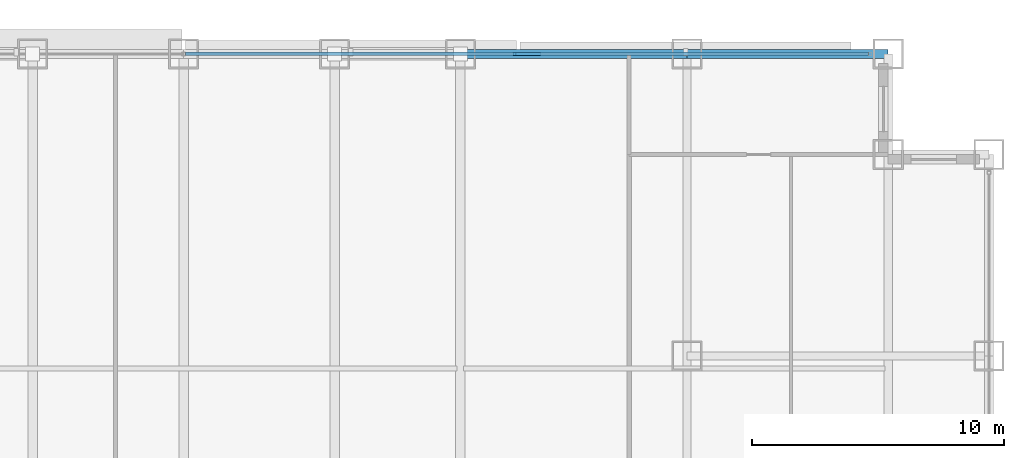
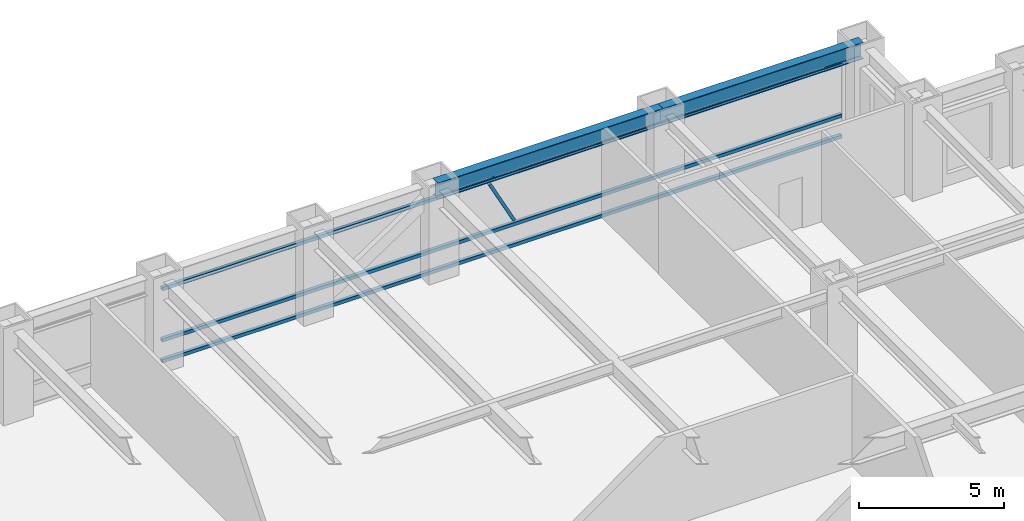
# One storey, part 20 of 32: 4 members, 2 beams, 1 element without a shape of its own.
"""IFC4 building model written with IfcOpenShell, lengths in metres."""

from ifc_helpers import new_model, si_unit, direction, frame, origin, origin_2d, place, context, subcontext, project, spatial, hollow_rectangle, i_section, extrude, source, transform, mapped, material, material_profile, profile_set, type_object, element, aggregate, save


model = new_model("IFC4")

# Units and contexts
model_context = context("Model", 3, precision=1e-05, world=origin(), true_north=direction((0.0, 1.0)))
body_context = subcontext(model_context, "Body", "Model", "MODEL_VIEW")
ifc_project = project(units=[si_unit("LENGTHUNIT", "METRE"), si_unit("AREAUNIT", "SQUARE_METRE"), si_unit("VOLUMEUNIT", "CUBIC_METRE"), si_unit("PLANEANGLEUNIT", "RADIAN"), si_unit("MASSUNIT", "GRAM", prefix="KILO")], contexts=[model_context])

# Site, building, storey
site_placement = place(None, origin())
site = spatial("IfcSite", under=ifc_project, at=site_placement, CompositionType="ELEMENT")
building_placement = place(site_placement, origin())
building = spatial("IfcBuilding", under=site, at=building_placement, Name="Khorayat Bourse Tower", CompositionType="ELEMENT")
storey_placement = place(building_placement, frame((0.0, 0.0, 132.39990234375)))
storey = spatial("IfcBuildingStorey", under=building, at=storey_placement, Name="L30", CompositionType="ELEMENT", Elevation=132.39990234375)

# Beams
ifc_material_1 = material(Name="Steel ASTM A992 Grade 50", Category="steel")
ifc_material_profile_1 = material_profile(ifc_material_1, i_section(OverallWidth=0.35498046875, OverallDepth=0.695068359375, WebThickness=0.015380859375, FlangeThickness=0.02490234375, FilletRadius=0.01806640625, at=origin_2d()), Name="W690X217")
ifc_profile_set_1 = profile_set([ifc_material_profile_1], Name="Steel ASTM A992 Grade 50")
beam_type = type_object("IfcBeamType", Name="BM-SPAN-690", PredefinedType="SPANDREL", material=ifc_profile_set_1)
shared_shape_1 = source(origin(), body_context, "Body", "SweptSolid", [
    extrude(i_section(OverallWidth=0.35498046875, OverallDepth=0.695068359375, WebThickness=0.015380859375, FlangeThickness=0.02490234375, FilletRadius=0.01806640625, at=origin_2d()), origin(), (0.0, 0.0, 1.0), 9.0),
])
beam_1_placement = place(storey_placement, frame((11.0, 32.0, 3.49267578125), z_axis=(1.0, 0.0, 0.0), x_axis=(0.0, 1.0, 0.0)))
element("IfcBeam", 1, at=beam_1_placement, inside=storey, type_object=beam_type, Name="L30 BM-SPAN-690 BM-L30-SPN-045", PredefinedType="SPANDREL", context=body_context, shape_type="MappedRepresentation", body=[
    mapped(shared_shape_1, transform((0.0, 0.0, 0.0), scale=1.0)),
])
shared_shape_2 = source(origin(), body_context, "Body", "SweptSolid", [
    extrude(i_section(OverallWidth=0.35498046875, OverallDepth=0.695068359375, WebThickness=0.015380859375, FlangeThickness=0.02490234375, FilletRadius=0.01806640625, at=origin_2d()), origin(), (0.0, 0.0, 1.0), 8.0),
])
beam_2_placement = place(storey_placement, frame((20.0, 32.0, 3.49267578125), z_axis=(1.0, 0.0, 0.0), x_axis=(0.0, 1.0, 0.0)))
element("IfcBeam", 2, at=beam_2_placement, inside=storey, type_object=beam_type, Name="L30 BM-SPAN-690 BM-L30-SPN-044", PredefinedType="SPANDREL", context=body_context, shape_type="MappedRepresentation", body=[
    mapped(shared_shape_2, transform((0.0, 0.0, 0.0), scale=1.0)),
])

# Curtain wall, members
ifc_material_2 = material(Name="Aluminium EN AW-6063 T6", Category="aluminium")
curtain_wall_type = type_object("IfcCurtainWallType", Name="CW-SYS-02", PredefinedType="NOTDEFINED", material=ifc_material_2)
curtain_wall_placement = place(storey_placement, origin())
curtain_wall = element("IfcCurtainWall", 3, at=curtain_wall_placement, inside=storey, type_object=curtain_wall_type, Name="L30 Curtain Wall CW-L30-N1", PredefinedType="NOTDEFINED")
ifc_material_profile_2 = material_profile(ifc_material_2, hollow_rectangle(XDim=0.139892578125, YDim=0.139892578125, WallThickness=0.006103515625, at=origin_2d()), Name="ALU 140x140x6")
ifc_profile_set_2 = profile_set([ifc_material_profile_2], Name="Aluminium EN AW-6063 T6")
member_type_1 = type_object("IfcMemberType", Name="CWT-HORZ-140", PredefinedType="USERDEFINED", material=ifc_profile_set_2)
shared_shape_3 = source(origin(), body_context, "Body", "SweptSolid", [
    extrude(hollow_rectangle(XDim=0.139892578125, YDim=0.139892578125, WallThickness=0.006103515625, at=origin_2d()), origin(), (0.0, 0.0, 1.0), 27.139892578125),
])
member_1_placement = place(storey_placement, frame((0.070068359375, 32.0, 0.070068359375), z_axis=(1.0, 0.0, 0.0), x_axis=(0.0, 1.0, 0.0)))
member_1 = element("IfcMember", 4, at=member_1_placement, type_object=member_type_1, Name="CW-L30-N1 Horizontal Transom 2-1", ObjectType="TRANSOM", PredefinedType="USERDEFINED", context=body_context, shape_type="MappedRepresentation", body=[
    mapped(shared_shape_3, transform((0.0, 0.0, 0.0), scale=1.0)),
])
member_2_placement = place(storey_placement, frame((0.070068359375, 32.0, 0.9501953125), z_axis=(1.0, 0.0, 0.0), x_axis=(0.0, 1.0, 0.0)))
member_2 = element("IfcMember", 5, at=member_2_placement, type_object=member_type_1, Name="CW-L30-N1 Horizontal Transom 2-2", ObjectType="TRANSOM", PredefinedType="USERDEFINED", context=body_context, shape_type="MappedRepresentation", body=[
    mapped(shared_shape_3, transform((0.0, 0.0, 0.0), scale=1.0)),
])
member_3_placement = place(storey_placement, frame((0.070068359375, 32.0, 3.1201171875), z_axis=(1.0, 0.0, 0.0), x_axis=(0.0, 1.0, 0.0)))
member_3 = element("IfcMember", 6, at=member_3_placement, type_object=member_type_1, Name="CW-L30-N1 Horizontal Transom 2-3", ObjectType="TRANSOM", PredefinedType="USERDEFINED", context=body_context, shape_type="MappedRepresentation", body=[
    mapped(shared_shape_3, transform((0.0, 0.0, 0.0), scale=1.0)),
])
ifc_material_profile_3 = material_profile(ifc_material_2, hollow_rectangle(XDim=0.1201171875, YDim=0.1201171875, WallThickness=0.0048828125, at=origin_2d()), Name="ALU 120x120x5")
ifc_profile_set_3 = profile_set([ifc_material_profile_3], Name="Aluminium EN AW-6063 T6")
member_type_2 = type_object("IfcMemberType", Name="CWM-DIAG-120", PredefinedType="MULLION", material=ifc_profile_set_3)
shared_shape_4 = source(origin(), body_context, "Body", "SweptSolid", [
    extrude(hollow_rectangle(XDim=0.1201171875, YDim=0.1201171875, WallThickness=0.0048828125, at=origin_2d()), origin(), (0.0, 0.0, 1.0), 2.11328125),
])
member_4_placement = place(storey_placement, frame((14.132080078125, 32.0, 1.10009765625), z_axis=(-0.465694055905, 0.0, 0.884945787207), x_axis=(0.0, -1.0, 0.0)))
member_4 = element("IfcMember", 7, at=member_4_placement, type_object=member_type_2, Name="CW-L30-N1 Faceted Diagonal Mullion 2", PredefinedType="MULLION", context=body_context, shape_type="MappedRepresentation", body=[
    mapped(shared_shape_4, transform((0.0, 0.0, 0.0), scale=1.0)),
])
aggregate(curtain_wall, [member_1, member_2, member_3, member_4])

save(model, "model.ifc")
